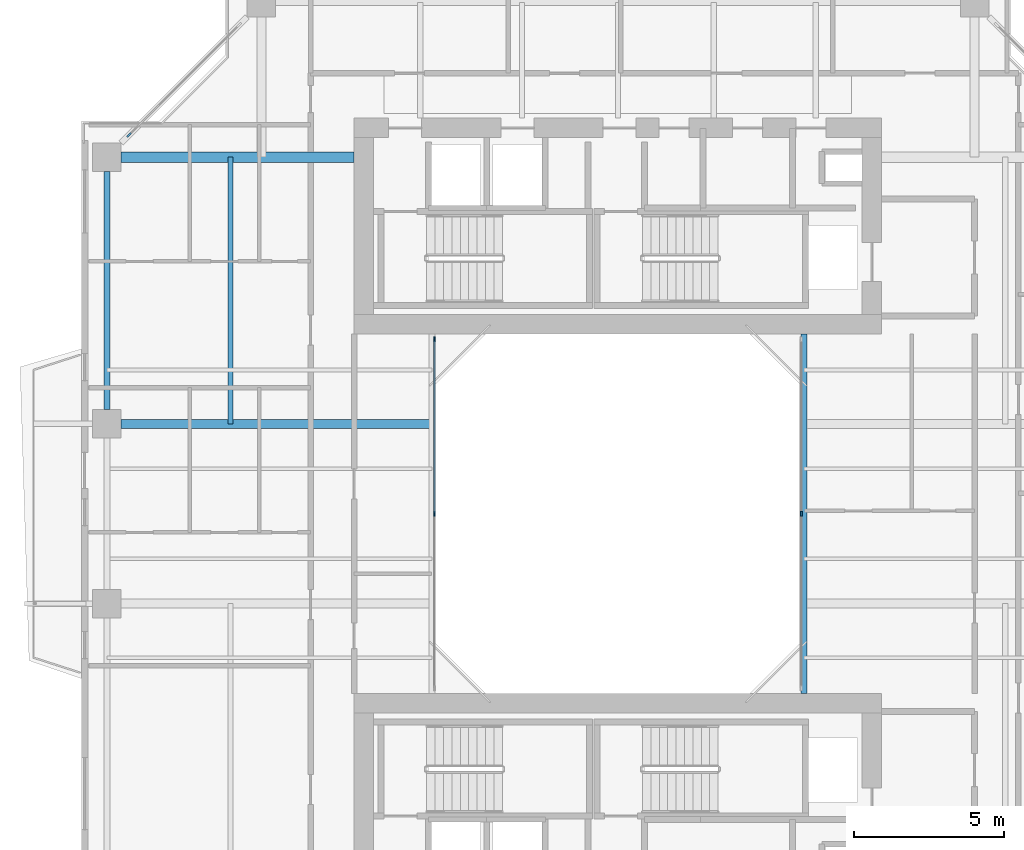
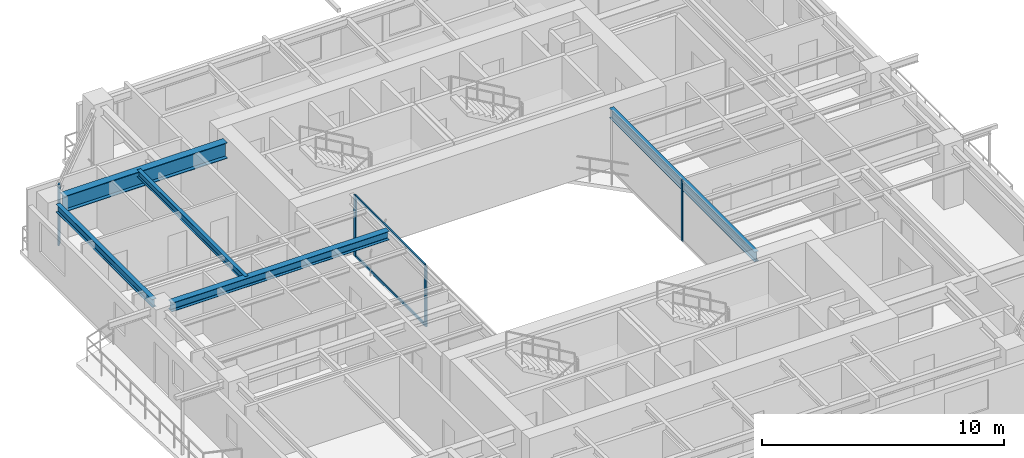
# One storey, part 6 of 18: 6 members, 5 beams, 3 elements without a shape of their own.
"""IFC4 building model written with IfcOpenShell, lengths in metres."""

from ifc_helpers import new_model, si_unit, direction, frame, origin, origin_2d, place, context, subcontext, project, spatial, rectangle, i_section, extrude, source, transform, mapped, material, layer, layer_set, material_profile, profile_set, type_object, element, aggregate, save


model = new_model("IFC4")

# Units and contexts
model_context = context("Model", 3, precision=1e-05, world=origin(), true_north=direction((0.0, 1.0)))
body_context = subcontext(model_context, "Body", "Model", "MODEL_VIEW")
ifc_project = project(units=[si_unit("LENGTHUNIT", "METRE"), si_unit("AREAUNIT", "SQUARE_METRE"), si_unit("VOLUMEUNIT", "CUBIC_METRE"), si_unit("PLANEANGLEUNIT", "RADIAN"), si_unit("MASSUNIT", "GRAM", prefix="KILO"), si_unit("THERMODYNAMICTEMPERATUREUNIT", "KELVIN"), si_unit("POWERUNIT", "WATT")], contexts=[model_context])

# Site, building, storey
site_placement = place(None, origin())
site = spatial("IfcSite", under=ifc_project, at=site_placement, CompositionType="ELEMENT")
building_placement = place(site_placement, origin())
building = spatial("IfcBuilding", under=site, at=building_placement, Name="Qiaomeng Ring Towers", CompositionType="ELEMENT")
storey_placement = place(building_placement, frame((0.0, 0.0, 147.0)))
storey = spatial("IfcBuildingStorey", under=building, at=storey_placement, Name="L42", CompositionType="ELEMENT", Elevation=147.0)

# Beams
ifc_material_1 = material(Name="Steel Q355B", Category="steel")
ifc_material_profile_1 = material_profile(ifc_material_1, i_section(OverallWidth=0.199951171875, OverallDepth=0.5, WebThickness=0.010009765625, FlangeThickness=0.01611328125, FilletRadius=0.02001953125, at=origin_2d()), Name="HN 500x200x10x16")
ifc_profile_set_1 = profile_set([ifc_material_profile_1], Name="Steel Q355B")
beam_type_1 = type_object("IfcBeamType", Name="STR-BM-HN500", PredefinedType="BEAM", material=ifc_profile_set_1)
shared_shape_1 = source(origin(), body_context, "Body", "SweptSolid", [
    extrude(i_section(OverallWidth=0.199951171875, OverallDepth=0.5, WebThickness=0.010009765625, FlangeThickness=0.01611328125, FilletRadius=0.02001953125, at=origin_2d()), origin(), (0.0, 0.0, 1.0), 12.0),
])
beam_1_placement = place(storey_placement, frame((25.199951171875, 17.0, 2.820068359375), z_axis=(0.0, 1.0, 0.0), x_axis=(-1.0, 0.0, 0.0)))
element("IfcBeam", 1, at=beam_1_placement, inside=storey, type_object=beam_type_1, Name="L42 beam STR-BM-L42-WELL-E", PredefinedType="BEAM", context=body_context, shape_type="MappedRepresentation", body=[
    mapped(shared_shape_1, transform((0.0, 0.0, 0.0), x_axis=(1.0, 0.0, 0.0), y_axis=(0.0, 1.0, 0.0), z_axis=(0.0, 0.0, 1.0), scale=1.0)),
])
ifc_material_profile_2 = material_profile(ifc_material_1, i_section(OverallWidth=0.175048828125, OverallDepth=0.35009765625, WebThickness=0.007080078125, FlangeThickness=0.010986328125, FilletRadius=0.013916015625, at=origin_2d()), Name="HN 350x175x7x11")
ifc_profile_set_2 = profile_set([ifc_material_profile_2], Name="Steel Q355B")
beam_type_2 = type_object("IfcBeamType", Name="STR-BM-HN350", PredefinedType="JOIST", material=ifc_profile_set_2)
shared_shape_2 = source(origin(), body_context, "Body", "SweptSolid", [
    extrude(i_section(OverallWidth=0.175048828125, OverallDepth=0.35009765625, WebThickness=0.007080078125, FlangeThickness=0.010986328125, FilletRadius=0.013916015625, at=origin_2d()), origin(), (0.0, 0.0, 1.0), 8.89990234375),
])
beam_2_placement = place(storey_placement, frame((6.074951171875, 26.0, 2.89501953125), z_axis=(0.0, 1.0, 0.0), x_axis=(-1.0, 0.0, 0.0)))
element("IfcBeam", 2, at=beam_2_placement, inside=storey, type_object=beam_type_2, Name="L42 beam STR-JST-L42-T1C-WN", PredefinedType="JOIST", context=body_context, shape_type="MappedRepresentation", body=[
    mapped(shared_shape_2, transform((0.0, 0.0, 0.0), x_axis=(1.0, 0.0, 0.0), y_axis=(0.0, 1.0, 0.0), z_axis=(0.0, 0.0, 1.0), scale=1.0)),
])
ifc_material_profile_3 = material_profile(ifc_material_1, i_section(OverallWidth=0.199951171875, OverallDepth=0.39990234375, WebThickness=0.008056640625, FlangeThickness=0.012939453125, FilletRadius=0.01611328125, at=origin_2d()), Name="HN 400x200x8x13")
ifc_profile_set_3 = profile_set([ifc_material_profile_3], Name="Steel Q355B")
beam_type_3 = type_object("IfcBeamType", Name="STR-BM-HN400", PredefinedType="SPANDREL", material=ifc_profile_set_3)
shared_shape_3 = source(origin(), body_context, "Body", "SweptSolid", [
    extrude(i_section(OverallWidth=0.199951171875, OverallDepth=0.39990234375, WebThickness=0.008056640625, FlangeThickness=0.012939453125, FilletRadius=0.01611328125, at=origin_2d()), origin(), (0.0, 0.0, 1.0), 7.951904296875),
])
beam_3_placement = place(storey_placement, frame((1.949951171875, 34.426025390625, 2.8701171875), z_axis=(0.0, -1.0, 0.0), x_axis=(1.0, 0.0, 0.0)))
element("IfcBeam", 3, at=beam_3_placement, inside=storey, type_object=beam_type_3, Name="L42 beam STR-SP-L42-T1-W4-W3", PredefinedType="SPANDREL", context=body_context, shape_type="MappedRepresentation", body=[
    mapped(shared_shape_3, transform((0.0, 0.0, 0.0), x_axis=(1.0, 0.0, 0.0), y_axis=(0.0, 1.0, 0.0), z_axis=(0.0, 0.0, 1.0), scale=1.0)),
])
ifc_material_2 = material(Name="Steel Q390GJC", Category="steel")
ifc_material_profile_4 = material_profile(ifc_material_2, i_section(OverallWidth=0.35009765625, OverallDepth=0.800048828125, WebThickness=0.01611328125, FlangeThickness=0.028076171875, at=origin_2d()), Name="WH 800x350x16x28")
ifc_profile_set_4 = profile_set([ifc_material_profile_4], Name="Steel Q390GJC")
beam_type_4 = type_object("IfcBeamType", Name="STR-BM-WH800", PredefinedType="BEAM", material=ifc_profile_set_4)
shared_shape_4 = source(origin(), body_context, "Body", "SweptSolid", [
    extrude(i_section(OverallWidth=0.35009765625, OverallDepth=0.800048828125, WebThickness=0.01611328125, FlangeThickness=0.028076171875, at=origin_2d()), origin(), (0.0, 0.0, 1.0), 7.77587890625),
])
beam_4_placement = place(storey_placement, frame((2.424072265625, 34.89990234375, 2.669921875), z_axis=(1.0, 0.0, 0.0), x_axis=(0.0, 1.0, 0.0)))
element("IfcBeam", 4, at=beam_4_placement, inside=storey, type_object=beam_type_4, Name="L42 beam STR-BM-L42-T1-RAD-W4", PredefinedType="BEAM", context=body_context, shape_type="MappedRepresentation", body=[
    mapped(shared_shape_4, transform((0.0, 0.0, 0.0), x_axis=(1.0, 0.0, 0.0), y_axis=(0.0, 1.0, 0.0), z_axis=(0.0, 0.0, 1.0), scale=1.0)),
])
ifc_material_profile_5 = material_profile(ifc_material_1, i_section(OverallWidth=0.300048828125, OverallDepth=0.43994140625, WebThickness=0.010986328125, FlangeThickness=0.01806640625, FilletRadius=0.02392578125, at=origin_2d()), Name="HM 440x300x11x18")
ifc_profile_set_5 = profile_set([ifc_material_profile_5], Name="Steel Q355B")
beam_type_5 = type_object("IfcBeamType", Name="STR-BM-HM440", PredefinedType="BEAM", material=ifc_profile_set_5)
shared_shape_5 = source(origin(), body_context, "Body", "SweptSolid", [
    extrude(i_section(OverallWidth=0.300048828125, OverallDepth=0.43994140625, WebThickness=0.010986328125, FlangeThickness=0.01806640625, FilletRadius=0.02392578125, at=origin_2d()), origin(), (0.0, 0.0, 1.0), 10.3759765625),
])
beam_5_placement = place(storey_placement, frame((2.424072265625, 26.0, 2.85009765625), z_axis=(1.0, 0.0, 0.0), x_axis=(0.0, 1.0, 0.0)))
element("IfcBeam", 5, at=beam_5_placement, inside=storey, type_object=beam_type_5, Name="L42 beam STR-BM-L42-T1-RAD-W3", PredefinedType="BEAM", context=body_context, shape_type="MappedRepresentation", body=[
    mapped(shared_shape_5, transform((0.0, 0.0, 0.0), x_axis=(1.0, 0.0, 0.0), y_axis=(0.0, 1.0, 0.0), z_axis=(0.0, 0.0, 1.0), scale=1.0)),
])

# Curtain wall, members
ifc_material_3 = material(Name="Fluorocarbon dark-grey aluminium", Category="aluminium")
ifc_layer_1 = layer(ifc_material_3, 0.139892578125, Name="Fluorocarbon dark-grey aluminium")
ifc_layer_set_1 = layer_set([ifc_layer_1], Name="Fluorocarbon dark-grey aluminium")
curtain_wall_type_1 = type_object("IfcCurtainWallType", Name="ARC-CW-4", PredefinedType="NOTDEFINED", material=ifc_layer_set_1)
curtain_wall_1_placement = place(storey_placement, origin())
curtain_wall_1 = element("IfcCurtainWall", 6, at=curtain_wall_1_placement, inside=storey, type_object=curtain_wall_type_1, Name="L42 Curtain Wall CW4", PredefinedType="NOTDEFINED")
ifc_material_profile_6 = material_profile(ifc_material_3, rectangle(XDim=0.06494140625, YDim=0.159912109375, at=origin_2d()), Name="ALU MULL 65x160")
ifc_profile_set_6 = profile_set([ifc_material_profile_6], Name="Fluorocarbon dark-grey aluminium")
member_type_1 = type_object("IfcMemberType", Name="ARC-CWM-140", PredefinedType="MULLION", material=ifc_profile_set_6)
shared_shape_6 = source(origin(), body_context, "Body", "SweptSolid", [
    extrude(rectangle(XDim=0.06494140625, YDim=0.159912109375, at=origin_2d()), origin(), (0.0, 0.0, 1.0), 3.070068359375),
])
member_1_placement = place(storey_placement, frame((12.8798828125, 23.0, 0.0), z_axis=(0.0, 0.0, 1.0), x_axis=(-1.0, 0.0, 0.0)))
member_1 = element("IfcMember", 7, at=member_1_placement, type_object=member_type_1, Name="CW4 mullion 2", PredefinedType="MULLION", context=body_context, shape_type="MappedRepresentation", body=[
    mapped(shared_shape_6, transform((0.0, 0.0, 0.0), x_axis=(1.0, 0.0, 0.0), y_axis=(0.0, 1.0, 0.0), z_axis=(0.0, 0.0, 1.0), scale=1.0)),
])
member_2_placement = place(storey_placement, frame((12.8798828125, 28.8173828125, 0.0), z_axis=(0.0, 0.0, 1.0), x_axis=(-1.0, 0.0, 0.0)))
member_2 = element("IfcMember", 8, at=member_2_placement, type_object=member_type_1, Name="CW4 mullion 3", PredefinedType="MULLION", context=body_context, shape_type="MappedRepresentation", body=[
    mapped(shared_shape_6, transform((0.0, 0.0, 0.0), x_axis=(1.0, 0.0, 0.0), y_axis=(0.0, 1.0, 0.0), z_axis=(0.0, 0.0, 1.0), scale=1.0)),
])

# Curtain wall, member
curtain_wall_2_placement = place(storey_placement, origin())
curtain_wall_2 = element("IfcCurtainWall", 9, at=curtain_wall_2_placement, inside=storey, type_object=curtain_wall_type_1, Name="L42 Curtain Wall CW4", PredefinedType="NOTDEFINED")
member_3_placement = place(storey_placement, frame((25.1201171875, 23.0, 0.0), z_axis=(0.0, 0.0, 1.0), x_axis=(-1.0, 0.0, 0.0)))
member_3 = element("IfcMember", 10, at=member_3_placement, type_object=member_type_1, Name="CW4 mullion 2", PredefinedType="MULLION", context=body_context, shape_type="MappedRepresentation", body=[
    mapped(shared_shape_6, transform((0.0, 0.0, 0.0), x_axis=(1.0, 0.0, 0.0), y_axis=(0.0, 1.0, 0.0), z_axis=(0.0, 0.0, 1.0), scale=1.0)),
])
aggregate(curtain_wall_2, [member_3])

# Member
ifc_material_profile_7 = material_profile(ifc_material_3, rectangle(XDim=0.06494140625, YDim=0.1298828125, at=origin_2d()), Name="ALU TRAN 65x130")
ifc_profile_set_7 = profile_set([ifc_material_profile_7], Name="Fluorocarbon dark-grey aluminium")
member_type_2 = type_object("IfcMemberType", Name="ARC-CWT-120", PredefinedType="USERDEFINED", material=ifc_profile_set_7)
shared_shape_7 = source(origin(), body_context, "Body", "SweptSolid", [
    extrude(rectangle(XDim=0.06494140625, YDim=0.1298828125, at=origin_2d()), origin(), (0.0, 0.0, 1.0), 5.75244140625),
])
member_4_placement = place(storey_placement, frame((12.8798828125, 23.032470703125, 0.032470703125), z_axis=(0.0, 1.0, 0.0), x_axis=(-1.0, 0.0, 0.0)))
member_4 = element("IfcMember", 11, at=member_4_placement, type_object=member_type_2, Name="CW4 transom 2.1", ObjectType="TRANSOM", PredefinedType="USERDEFINED", context=body_context, shape_type="MappedRepresentation", body=[
    mapped(shared_shape_7, transform((0.0, 0.0, 0.0), x_axis=(1.0, 0.0, 0.0), y_axis=(0.0, 1.0, 0.0), z_axis=(0.0, 0.0, 1.0), scale=1.0)),
])

member_5_placement = place(storey_placement, frame((12.8798828125, 23.032470703125, 3.03759765625), z_axis=(0.0, 1.0, 0.0), x_axis=(-1.0, 0.0, 0.0)))
member_5 = element("IfcMember", 12, at=member_5_placement, type_object=member_type_2, Name="CW4 transom 2.2", ObjectType="TRANSOM", PredefinedType="USERDEFINED", context=body_context, shape_type="MappedRepresentation", body=[
    mapped(shared_shape_7, transform((0.0, 0.0, 0.0), x_axis=(1.0, 0.0, 0.0), y_axis=(0.0, 1.0, 0.0), z_axis=(0.0, 0.0, 1.0), scale=1.0)),
])

aggregate(curtain_wall_1, [member_1, member_2, member_4, member_5])

# Curtain wall, member
ifc_layer_2 = layer(ifc_material_3, 0.14990234375, Name="Fluorocarbon dark-grey aluminium")
ifc_layer_set_2 = layer_set([ifc_layer_2], Name="Fluorocarbon dark-grey aluminium")
curtain_wall_type_2 = type_object("IfcCurtainWallType", Name="ARC-CW-3", PredefinedType="NOTDEFINED", material=ifc_layer_set_2)
curtain_wall_3_placement = place(storey_placement, origin())
curtain_wall_3 = element("IfcCurtainWall", 13, at=curtain_wall_3_placement, inside=storey, type_object=curtain_wall_type_2, Name="L42 Curtain Wall CW3", PredefinedType="NOTDEFINED")
ifc_material_profile_8 = material_profile(ifc_material_3, rectangle(XDim=0.070068359375, YDim=0.179931640625, at=origin_2d()), Name="ALU MULL 70x180")
ifc_profile_set_8 = profile_set([ifc_material_profile_8], Name="Fluorocarbon dark-grey aluminium")
member_type_3 = type_object("IfcMemberType", Name="ARC-CWM-160", PredefinedType="MULLION", material=ifc_profile_set_8)
shared_shape_8 = source(origin(), body_context, "Body", "SweptSolid", [
    extrude(rectangle(XDim=0.070068359375, YDim=0.179931640625, at=origin_2d()), origin(), (0.0, 0.0, 1.0), 3.070068359375),
])
member_6_placement = place(storey_placement, frame((2.689697265625, 35.6396484375, 0.0), z_axis=(0.0, 0.0, 1.0), x_axis=(0.707106781187, -0.707106781187, 0.0)))
member_6 = element("IfcMember", 14, at=member_6_placement, type_object=member_type_3, Name="CW3 mullion 2", PredefinedType="MULLION", context=body_context, shape_type="MappedRepresentation", body=[
    mapped(shared_shape_8, transform((0.0, 0.0, 0.0), x_axis=(1.0, 0.0, 0.0), y_axis=(0.0, 1.0, 0.0), z_axis=(0.0, 0.0, 1.0), scale=1.0)),
])
aggregate(curtain_wall_3, [member_6])

save(model, "model.ifc")
